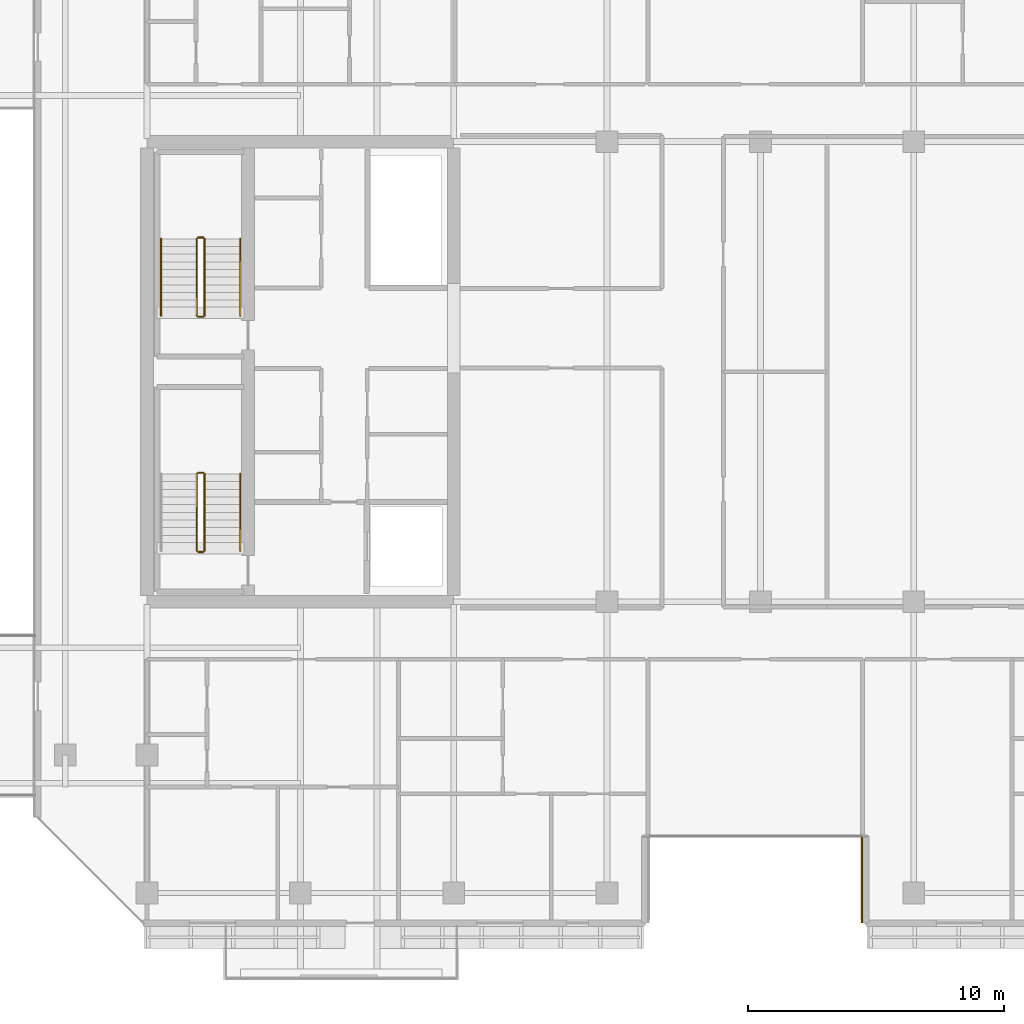
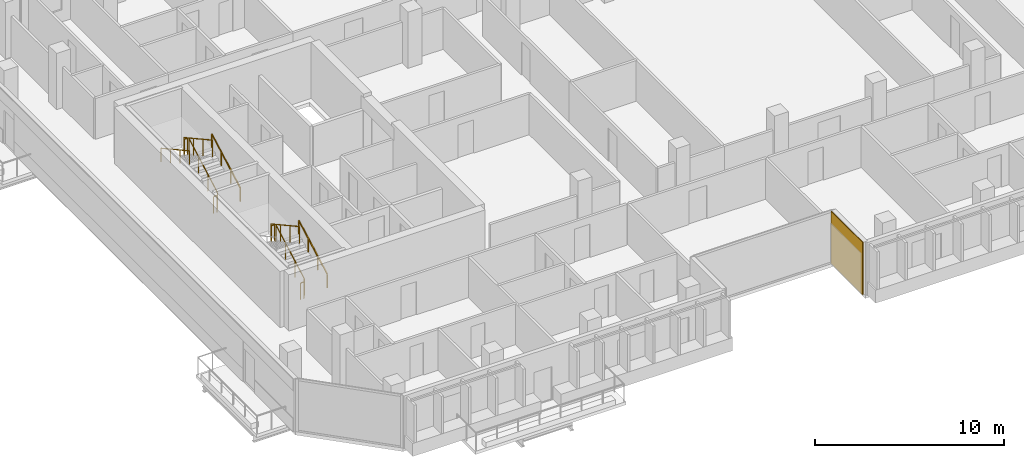
# One storey, part 27 of 30: 11 railings, 1 covering.
"""IFC4 building model written with IfcOpenShell, lengths in metres."""

from ifc_helpers import new_model, si_unit, direction, frame, origin, origin_2d, place, context, subcontext, project, spatial, rectangle, extrude, material, layer, layer_set, type_object, element, save


model = new_model("IFC4")

# Units and contexts
model_context = context("Model", 3, precision=1e-05, world=origin(), true_north=direction((0.0, 1.0)))
body_context = subcontext(model_context, "Body", "Model", "MODEL_VIEW")
ifc_project = project(units=[si_unit("LENGTHUNIT", "METRE"), si_unit("AREAUNIT", "SQUARE_METRE"), si_unit("VOLUMEUNIT", "CUBIC_METRE"), si_unit("PLANEANGLEUNIT", "RADIAN"), si_unit("MASSUNIT", "GRAM", prefix="KILO")], contexts=[model_context])

# Site, building, storey
site_placement = place(None, origin())
site = spatial("IfcSite", under=ifc_project, at=site_placement, CompositionType="ELEMENT")
building_placement = place(site_placement, origin())
building = spatial("IfcBuilding", under=site, at=building_placement, Name="Tanjung Sevakor Pilgrim Tower", CompositionType="ELEMENT")
storey_placement = place(building_placement, frame((0.0, 0.0, 165.659912109375)))
storey = spatial("IfcBuildingStorey", under=building, at=storey_placement, Name="L46", CompositionType="ELEMENT", Elevation=165.659912109375)

# Covering
ifc_material_1 = material(Name="Reconstructed Limestone Cladding", Category="masonry")
ifc_layer = layer(ifc_material_1, 0.044921875)
ifc_layer_set = layer_set([ifc_layer], Name="COV-CLAD-LIMESTONE")
covering_type = type_object("IfcCoveringType", Name="COV-CLAD-LIMESTONE", PredefinedType="CLADDING", material=ifc_layer_set)
covering_placement = place(storey_placement, frame((51.9775390625, 13.72509765625, 0.02001953125), z_axis=(0.0, 0.0, 1.0), x_axis=(0.0, -1.0, 0.0)))
element("IfcCovering", 1, at=covering_placement, inside=storey, type_object=covering_type, Name="L46 Warm Limestone Wall Cladding EW-L46-MAIN-4", PredefinedType="CLADDING", context=body_context, shape_type="SweptSolid", body=[
    extrude(rectangle(XDim=3.360107421875, YDim=0.044921875, at=origin_2d()), origin(), (0.0, 0.0, 1.0), 3.3701171875),
])

# Railings
ifc_material_2 = material(Name="Steel S355J2", Category="steel")
railing_type_1 = type_object("IfcRailingType", Name="RL-STAIR-GUARD", PredefinedType="GUARDRAIL", material=ifc_material_2)
railing_1_placement = place(storey_placement, frame((26.25, 26.60009765625, 0.1650390625)))
element("IfcRailing", 2, at=railing_1_placement, inside=storey, type_object=railing_type_1, Name="L46 TS-W1 stair guard 1", PredefinedType="GUARDRAIL", context=body_context, shape_type="SweptSolid", body=[
    extrude(rectangle(XDim=0.0479, YDim=0.0479), frame((0.0, 0.0, 1.076171875), z_axis=(0.0, 0.876197842262, 0.481951596342), x_axis=(-1.0, 0.0, 0.0)), (0.0, 0.0, 1.0), 3.423828125),
    extrude(rectangle(XDim=0.042, YDim=0.042), origin(), (0.0, 0.0, 1.0), 1.052001953125),
    extrude(rectangle(XDim=0.042, YDim=0.042), frame((0.0, 1.0, 0.550048828125)), (0.0, 0.0, 1.0), 1.052001953125),
    extrude(rectangle(XDim=0.042, YDim=0.042), frame((0.0, 2.0, 1.10009765625)), (0.0, 0.0, 1.0), 1.052001953125),
    extrude(rectangle(XDim=0.042, YDim=0.042), frame((0.0, 3.0, 1.650146484375)), (0.0, 0.0, 1.0), 1.052001953125),
])
railing_2_placement = place(storey_placement, frame((26.199951171875, 29.64990234375, 1.815185546875)))
element("IfcRailing", 3, at=railing_2_placement, inside=storey, type_object=railing_type_1, Name="L46 TS-W1 stair guard 2", PredefinedType="GUARDRAIL", context=body_context, shape_type="SweptSolid", body=[
    extrude(rectangle(XDim=0.0479, YDim=0.0479), frame((0.0, 0.0, 1.076171875), z_axis=(-1.0, 0.0, 0.0), x_axis=(0.0, -1.0, 0.0)), (0.0, 0.0, 1.0), 0.199951171875),
    extrude(rectangle(XDim=0.042, YDim=0.042), origin(), (0.0, 0.0, 1.0), 1.052001953125),
    extrude(rectangle(XDim=0.042, YDim=0.042), frame((-0.199951171875, 0.0, 0.0)), (0.0, 0.0, 1.0), 1.052001953125),
])
railing_3_placement = place(storey_placement, frame((25.949951171875, 29.60009765625, 1.97998046875)))
element("IfcRailing", 4, at=railing_3_placement, inside=storey, type_object=railing_type_1, Name="L46 TS-W1 stair guard 3", PredefinedType="GUARDRAIL", context=body_context, shape_type="SweptSolid", body=[
    extrude(rectangle(XDim=0.0479, YDim=0.0479), frame((0.0, 0.0, 1.076171875), z_axis=(0.0, -0.876197842262, 0.481951596342), x_axis=(1.0, 0.0, 0.0)), (0.0, 0.0, 1.0), 3.423828125),
    extrude(rectangle(XDim=0.042, YDim=0.042), origin(), (0.0, 0.0, 1.0), 1.052001953125),
    extrude(rectangle(XDim=0.042, YDim=0.042), frame((0.0, -1.0, 0.550048828125)), (0.0, 0.0, 1.0), 1.052001953125),
    extrude(rectangle(XDim=0.042, YDim=0.042), frame((0.0, -2.0, 1.10009765625)), (0.0, 0.0, 1.0), 1.052001953125),
    extrude(rectangle(XDim=0.042, YDim=0.042), frame((0.0, -3.0, 1.650146484375)), (0.0, 0.0, 1.0), 1.052001953125),
])
railing_4_placement = place(storey_placement, frame((26.199951171875, 26.550048828125, 0.0)))
element("IfcRailing", 5, at=railing_4_placement, inside=storey, type_object=railing_type_1, Name="L46 TS-W1 stair guard 4", PredefinedType="GUARDRAIL", context=body_context, shape_type="SweptSolid", body=[
    extrude(rectangle(XDim=0.0479, YDim=0.0479), frame((0.0, 0.0, 1.076171875), z_axis=(-1.0, 0.0, 0.0), x_axis=(0.0, -1.0, 0.0)), (0.0, 0.0, 1.0), 0.199951171875),
    extrude(rectangle(XDim=0.042, YDim=0.042), origin(), (0.0, 0.0, 1.0), 1.052001953125),
    extrude(rectangle(XDim=0.042, YDim=0.042), frame((-0.199951171875, 0.0, 0.0)), (0.0, 0.0, 1.0), 1.052001953125),
])
railing_5_placement = place(storey_placement, frame((26.25, 35.800048828125, 0.1650390625)))
element("IfcRailing", 6, at=railing_5_placement, inside=storey, type_object=railing_type_1, Name="L46 TS-W2 stair guard 1", PredefinedType="GUARDRAIL", context=body_context, shape_type="SweptSolid", body=[
    extrude(rectangle(XDim=0.0479, YDim=0.0479), frame((0.0, 0.0, 1.076171875), z_axis=(0.0, 0.876197842262, 0.481951596342), x_axis=(-1.0, 0.0, 0.0)), (0.0, 0.0, 1.0), 3.423828125),
    extrude(rectangle(XDim=0.042, YDim=0.042), origin(), (0.0, 0.0, 1.0), 1.052001953125),
    extrude(rectangle(XDim=0.042, YDim=0.042), frame((0.0, 1.0, 0.550048828125)), (0.0, 0.0, 1.0), 1.052001953125),
    extrude(rectangle(XDim=0.042, YDim=0.042), frame((0.0, 2.0, 1.10009765625)), (0.0, 0.0, 1.0), 1.052001953125),
    extrude(rectangle(XDim=0.042, YDim=0.042), frame((0.0, 3.0, 1.650146484375)), (0.0, 0.0, 1.0), 1.052001953125),
])
railing_6_placement = place(storey_placement, frame((26.199951171875, 38.85009765625, 1.815185546875)))
element("IfcRailing", 7, at=railing_6_placement, inside=storey, type_object=railing_type_1, Name="L46 TS-W2 stair guard 2", PredefinedType="GUARDRAIL", context=body_context, shape_type="SweptSolid", body=[
    extrude(rectangle(XDim=0.0479, YDim=0.0479), frame((0.0, 0.0, 1.076171875), z_axis=(-1.0, 0.0, 0.0), x_axis=(0.0, -1.0, 0.0)), (0.0, 0.0, 1.0), 0.199951171875),
    extrude(rectangle(XDim=0.042, YDim=0.042), origin(), (0.0, 0.0, 1.0), 1.052001953125),
    extrude(rectangle(XDim=0.042, YDim=0.042), frame((-0.199951171875, 0.0, 0.0)), (0.0, 0.0, 1.0), 1.052001953125),
])
railing_7_placement = place(storey_placement, frame((25.949951171875, 38.800048828125, 1.97998046875)))
element("IfcRailing", 8, at=railing_7_placement, inside=storey, type_object=railing_type_1, Name="L46 TS-W2 stair guard 3", PredefinedType="GUARDRAIL", context=body_context, shape_type="SweptSolid", body=[
    extrude(rectangle(XDim=0.0479, YDim=0.0479), frame((0.0, 0.0, 1.076171875), z_axis=(0.0, -0.876197842262, 0.481951596342), x_axis=(1.0, 0.0, 0.0)), (0.0, 0.0, 1.0), 3.423828125),
    extrude(rectangle(XDim=0.042, YDim=0.042), origin(), (0.0, 0.0, 1.0), 1.052001953125),
    extrude(rectangle(XDim=0.042, YDim=0.042), frame((0.0, -1.0, 0.550048828125)), (0.0, 0.0, 1.0), 1.052001953125),
    extrude(rectangle(XDim=0.042, YDim=0.042), frame((0.0, -2.0, 1.10009765625)), (0.0, 0.0, 1.0), 1.052001953125),
    extrude(rectangle(XDim=0.042, YDim=0.042), frame((0.0, -3.0, 1.650146484375)), (0.0, 0.0, 1.0), 1.052001953125),
])
railing_8_placement = place(storey_placement, frame((26.199951171875, 35.75, 0.0)))
element("IfcRailing", 9, at=railing_8_placement, inside=storey, type_object=railing_type_1, Name="L46 TS-W2 stair guard 4", PredefinedType="GUARDRAIL", context=body_context, shape_type="SweptSolid", body=[
    extrude(rectangle(XDim=0.0479, YDim=0.0479), frame((0.0, 0.0, 1.076171875), z_axis=(-1.0, 0.0, 0.0), x_axis=(0.0, -1.0, 0.0)), (0.0, 0.0, 1.0), 0.199951171875),
    extrude(rectangle(XDim=0.042, YDim=0.042), origin(), (0.0, 0.0, 1.0), 1.052001953125),
    extrude(rectangle(XDim=0.042, YDim=0.042), frame((-0.199951171875, 0.0, 0.0)), (0.0, 0.0, 1.0), 1.052001953125),
])
ifc_material_3 = material(Name="Steel S355J2", Category="steel")
railing_type_2 = type_object("IfcRailingType", Name="RL-STAIR-HAND", PredefinedType="HANDRAIL", material=ifc_material_3)
for number, where, name in (
    (10, (27.64990234375, 26.60009765625, 0.1650390625), "L46 TS-W1 stair handrail 1"),
    (11, (27.64990234375, 35.800048828125, 0.1650390625), "L46 TS-W2 stair handrail 1"),
):
    element("IfcRailing", number, at=place(storey_placement, frame(where)), inside=storey, type_object=railing_type_2, Name=name, PredefinedType="HANDRAIL", context=body_context, shape_type="SweptSolid", body=[
        extrude(rectangle(XDim=0.0479, YDim=0.0479), frame((0.0, 0.0, 0.8759765625), z_axis=(0.0, 0.876197842262, 0.481951596342), x_axis=(-1.0, 0.0, 0.0)), (0.0, 0.0, 1.0), 3.423828125),
        extrude(rectangle(XDim=0.042, YDim=0.042), origin(), (0.0, 0.0, 1.0), 0.851806640625),
        extrude(rectangle(XDim=0.042, YDim=0.042), frame((0.0, 1.0, 0.550048828125)), (0.0, 0.0, 1.0), 0.851806640625),
        extrude(rectangle(XDim=0.042, YDim=0.042), frame((0.0, 2.0, 1.10009765625)), (0.0, 0.0, 1.0), 0.851806640625),
        extrude(rectangle(XDim=0.042, YDim=0.042), frame((0.0, 3.0, 1.650146484375)), (0.0, 0.0, 1.0), 0.851806640625),
    ])
railing_9_placement = place(storey_placement, frame((24.550048828125, 38.800048828125, 1.97998046875)))
element("IfcRailing", 12, at=railing_9_placement, inside=storey, type_object=railing_type_2, Name="L46 TS-W2 stair handrail 2", PredefinedType="HANDRAIL", context=body_context, shape_type="SweptSolid", body=[
    extrude(rectangle(XDim=0.0479, YDim=0.0479), frame((0.0, 0.0, 0.8759765625), z_axis=(0.0, -0.876197842262, 0.481951596342), x_axis=(1.0, 0.0, 0.0)), (0.0, 0.0, 1.0), 3.423828125),
    extrude(rectangle(XDim=0.042, YDim=0.042), origin(), (0.0, 0.0, 1.0), 0.851806640625),
    extrude(rectangle(XDim=0.042, YDim=0.042), frame((0.0, -1.0, 0.550048828125)), (0.0, 0.0, 1.0), 0.851806640625),
    extrude(rectangle(XDim=0.042, YDim=0.042), frame((0.0, -2.0, 1.10009765625)), (0.0, 0.0, 1.0), 0.851806640625),
    extrude(rectangle(XDim=0.042, YDim=0.042), frame((0.0, -3.0, 1.650146484375)), (0.0, 0.0, 1.0), 0.851806640625),
])

save(model, "model.ifc")
